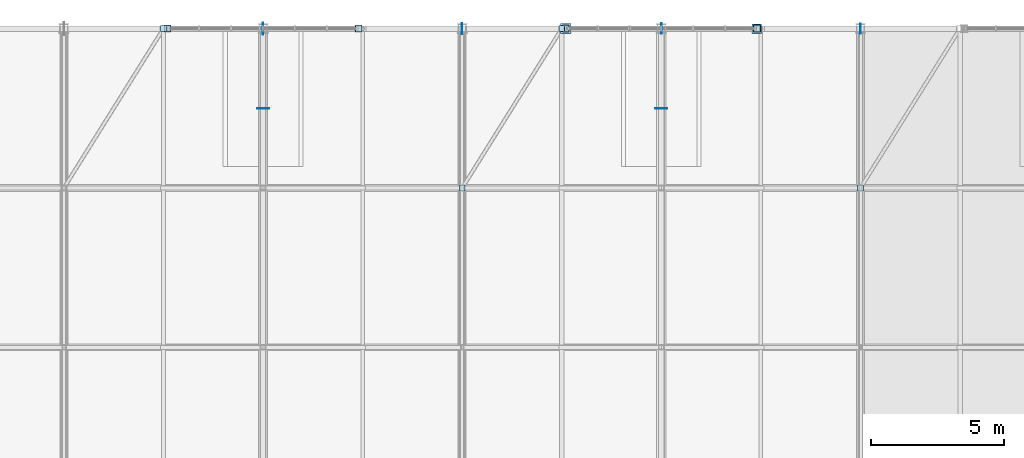
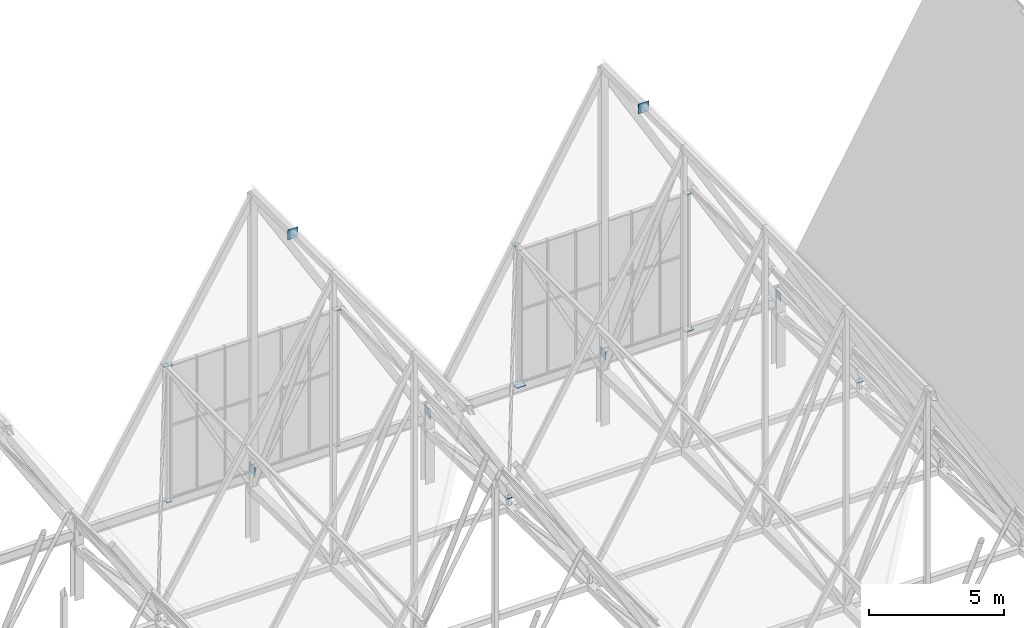
# One storey, part 296 of 324: 18 plates.
"""IFC4 building model written with IfcOpenShell, lengths in metres."""

from ifc_helpers import new_model, si_unit, direction, frame, origin, origin_2d, place, context, subcontext, project, spatial, rectangle, extrude, material, layer, layer_set, type_object, element, save


model = new_model("IFC4")

# Units and contexts
model_context = context("Model", 3, precision=1e-05, world=origin(), true_north=direction((0.0, 1.0)))
body_context = subcontext(model_context, "Body", "Model", "MODEL_VIEW")
ifc_project = project(units=[si_unit("LENGTHUNIT", "METRE"), si_unit("AREAUNIT", "SQUARE_METRE"), si_unit("VOLUMEUNIT", "CUBIC_METRE"), si_unit("PLANEANGLEUNIT", "RADIAN"), si_unit("MASSUNIT", "GRAM", prefix="KILO")], contexts=[model_context])

# Site, building, storey
site_placement = place(None, origin())
site = spatial("IfcSite", under=ifc_project, at=site_placement, CompositionType="ELEMENT")
building_placement = place(site_placement, origin())
building = spatial("IfcBuilding", under=site, at=building_placement, Name="Solvenia Promenade Tram Depot", CompositionType="ELEMENT")
storey_placement = place(building_placement, frame((0.0, 0.0, 4.5)))
storey = spatial("IfcBuildingStorey", under=building, at=storey_placement, Name="L01", CompositionType="ELEMENT", Elevation=4.5)

# Plates
ifc_material = material(Name="Structural steel ASTM A572 Gr. 50", Category="steel")
ifc_layer_1 = layer(ifc_material, 0.013916015625, Name="Structural steel ASTM A572 Gr. 50", Category="steel")
ifc_layer_set_1 = layer_set([ifc_layer_1], Name="Structural steel ASTM A572 Gr. 50")
plate_type_1 = type_object("IfcPlateType", Name="EndCap-CP10", PredefinedType="SHEET", material=ifc_layer_set_1)
plate_1_placement = place(storey_placement, frame((33.89990234375, 126.0, 2.9931640625), z_axis=(0.0, 0.0, 1.0), x_axis=(1.0, 0.0, 0.0)))
element("IfcPlate", 1, at=plate_1_placement, inside=storey, type_object=plate_type_1, Name="Gable Jamb Bottom Cap Plate 009", PredefinedType="SHEET", context=body_context, shape_type="SweptSolid", body=[
    extrude(rectangle(XDim=0.219970703125, YDim=0.219970703125, at=origin_2d()), origin(), (0.0, 0.0, 1.0), 0.013916015625),
])
ifc_layer_2 = layer(ifc_material, 0.012939453125, Name="Structural steel ASTM A572 Gr. 50", Category="steel")
ifc_layer_set_2 = layer_set([ifc_layer_2], Name="Structural steel ASTM A572 Gr. 50")
plate_type_2 = type_object("IfcPlateType", Name="EndCap-CP11", PredefinedType="SHEET", material=ifc_layer_set_2)
plate_2_placement = place(storey_placement, frame((41.10009765625, 126.0, 2.99365234375), z_axis=(0.0, 0.0, 1.0), x_axis=(1.0, 0.0, 0.0)))
element("IfcPlate", 2, at=plate_2_placement, inside=storey, type_object=plate_type_2, Name="Gable Jamb Bottom Cap Plate 010", PredefinedType="SHEET", context=body_context, shape_type="SweptSolid", body=[
    extrude(rectangle(XDim=0.199951171875, YDim=0.199951171875, at=origin_2d()), origin(), (0.0, 0.0, 1.0), 0.012939453125),
])
ifc_layer_3 = layer(ifc_material, 0.02197265625, Name="Structural steel ASTM A572 Gr. 50", Category="steel")
ifc_layer_set_3 = layer_set([ifc_layer_3], Name="Structural steel ASTM A572 Gr. 50")
plate_type_3 = type_object("IfcPlateType", Name="EndCap-CP2", PredefinedType="SHEET", material=ifc_layer_set_3)
plate_3_placement = place(storey_placement, frame((48.89990234375, 126.0, 2.989013671875), z_axis=(0.0, 0.0, 1.0), x_axis=(1.0, 0.0, 0.0)))
element("IfcPlate", 3, at=plate_3_placement, inside=storey, type_object=plate_type_3, Name="Gable Jamb Bottom Cap Plate 013", PredefinedType="SHEET", context=body_context, shape_type="SweptSolid", body=[
    extrude(rectangle(XDim=0.3798828125, YDim=0.3798828125, at=origin_2d()), origin(), (0.0, 0.0, 1.0), 0.02197265625),
])
ifc_layer_4 = layer(ifc_material, 0.02099609375, Name="Structural steel ASTM A572 Gr. 50", Category="steel")
ifc_layer_set_4 = layer_set([ifc_layer_4], Name="Structural steel ASTM A572 Gr. 50")
plate_type_4 = type_object("IfcPlateType", Name="EndCap-CP3", PredefinedType="SHEET", material=ifc_layer_set_4)
plate_4_placement = place(storey_placement, frame((56.10009765625, 126.0, 2.989501953125), z_axis=(0.0, 0.0, 1.0), x_axis=(1.0, 0.0, 0.0)))
element("IfcPlate", 4, at=plate_4_placement, inside=storey, type_object=plate_type_4, Name="Gable Jamb Bottom Cap Plate 014", PredefinedType="SHEET", context=body_context, shape_type="SweptSolid", body=[
    extrude(rectangle(XDim=0.360107421875, YDim=0.360107421875, at=origin_2d()), origin(), (0.0, 0.0, 1.0), 0.02099609375),
])
ifc_layer_5 = layer(ifc_material, 0.02001953125, Name="Structural steel ASTM A572 Gr. 50", Category="steel")
ifc_layer_set_5 = layer_set([ifc_layer_5], Name="Structural steel ASTM A572 Gr. 50")
plate_type_5 = type_object("IfcPlateType", Name="EndCap-CP4", PredefinedType="SHEET", material=ifc_layer_set_5)
for number, where, z_axis, x_axis, name in (
    (5, (33.89990234375, 126.0, 9.141845703125), (0.0, 0.0, 1.0), (1.0, 0.0, 0.0), "Gable Jamb Top Cap Plate 009"),
    (6, (41.10009765625, 126.0, 9.141845703125), (0.0, 0.0, 1.0), (1.0, 0.0, 0.0), "Gable Jamb Top Cap Plate 010"),
    (7, (48.89990234375, 126.0, 9.141845703125), (0.0, 0.0, 1.0), (1.0, 0.0, 0.0), "Gable Jamb Top Cap Plate 013"),
    (8, (56.10009765625, 126.0, 9.141845703125), (0.0, 0.0, 1.0), (1.0, 0.0, 0.0), "Gable Jamb Top Cap Plate 014"),
):
    element("IfcPlate", number, at=place(storey_placement, frame(where, z_axis=z_axis, x_axis=x_axis)), inside=storey, type_object=plate_type_5, Name=name, PredefinedType="SHEET", context=body_context, shape_type="SweptSolid", body=[
        extrude(rectangle(XDim=0.260009765625, YDim=0.260009765625, at=origin_2d()), origin(), (0.0, 0.0, 1.0), 0.01611328125),
    ])
ifc_layer_6 = layer(ifc_material, 0.01904296875, Name="Structural steel ASTM A572 Gr. 50", Category="steel")
ifc_layer_set_6 = layer_set([ifc_layer_6], Name="Structural steel ASTM A572 Gr. 50")
plate_type_6 = type_object("IfcPlateType", Name="EndCap-CP5", PredefinedType="SHEET", material=ifc_layer_set_6)
for number, where, z_axis, x_axis, name in (
    (9, (33.75, 126.0, 9.169189453125), (0.0, 0.0, 1.0), (1.0, 0.0, 0.0), "Roof Brace Node Plate 006B"),
    (10, (45.0, 120.0, 2.91162109375), (0.0, 0.0, 1.0), (1.0, 0.0, 0.0), "Roof Brace Node Plate 008A"),
    (11, (48.75, 126.0, 9.380615234375), (0.0, 0.0, 1.0), (1.0, 0.0, 0.0), "Roof Brace Node Plate 008B"),
    (12, (60.0, 120.0, 2.90673828125), (0.0, 0.0, 1.0), (1.0, 0.0, 0.0), "Roof Brace Node Plate 010A"),
):
    element("IfcPlate", number, at=place(storey_placement, frame(where, z_axis=z_axis, x_axis=x_axis)), inside=storey, type_object=plate_type_6, Name=name, PredefinedType="SHEET", context=body_context, shape_type="SweptSolid", body=[
        extrude(rectangle(XDim=0.219970703125, YDim=0.219970703125, at=origin_2d()), origin(), (0.0, 0.0, 1.0), 0.01904296875),
    ])
ifc_layer_7 = layer(ifc_material, 0.01708984375, Name="Structural steel ASTM A572 Gr. 50", Category="steel")
ifc_layer_set_7 = layer_set([ifc_layer_7], Name="Structural steel ASTM A572 Gr. 50")
plate_type_7 = type_object("IfcPlateType", Name="Gusset-GP10", PredefinedType="USERDEFINED", material=ifc_layer_set_7)
plate_5_placement = place(storey_placement, frame((60.0, 126.0, 2.96484375), z_axis=(0.0, 0.0, 1.0), x_axis=(1.0, 0.0, 0.0)))
element("IfcPlate", 13, at=plate_5_placement, inside=storey, type_object=plate_type_7, Name="Arched Truss Shoe Gusset 9N", ObjectType="GUSSET PLATE", PredefinedType="USERDEFINED", context=body_context, shape_type="SweptSolid", body=[
    extrude(rectangle(XDim=0.01708984375, YDim=0.3701171875, at=origin_2d()), origin(), (0.0, 0.0, 1.0), 0.3701171875),
])
ifc_layer_8 = layer(ifc_material, 0.02392578125, Name="Structural steel ASTM A572 Gr. 50", Category="steel")
ifc_layer_set_8 = layer_set([ifc_layer_8], Name="Structural steel ASTM A572 Gr. 50")
plate_type_8 = type_object("IfcPlateType", Name="Gusset-GP4", PredefinedType="USERDEFINED", material=ifc_layer_set_8)
for number, where, z_axis, x_axis, name in (
    (14, (37.5, 123.0, 15.421875), (0.0, 0.0, 1.0), (1.0, 0.0, 0.0), "Ridge Node Gusset T06-S10"),
    (15, (52.5, 123.0, 15.86279296875), (0.0, 0.0, 1.0), (1.0, 0.0, 0.0), "Ridge Node Gusset T08-S10"),
):
    element("IfcPlate", number, at=place(storey_placement, frame(where, z_axis=z_axis, x_axis=x_axis)), inside=storey, type_object=plate_type_8, Name=name, ObjectType="GUSSET PLATE", PredefinedType="USERDEFINED", context=body_context, shape_type="SweptSolid", body=[
        extrude(rectangle(XDim=0.449951171875, YDim=0.02001953125, at=origin_2d()), origin(), (0.0, 0.0, 1.0), 0.449951171875),
    ])
ifc_layer_9 = layer(ifc_material, 0.02001953125, Name="Structural steel ASTM A572 Gr. 50", Category="steel")
ifc_layer_set_9 = layer_set([ifc_layer_9], Name="Structural steel ASTM A572 Gr. 50")
plate_type_9 = type_object("IfcPlateType", Name="Gusset-GP7", PredefinedType="USERDEFINED", material=ifc_layer_set_9)
plate_6_placement = place(storey_placement, frame((37.5, 126.0, 2.9248046875), z_axis=(0.0, 0.0, 1.0), x_axis=(1.0, 0.0, 0.0)))
element("IfcPlate", 16, at=plate_6_placement, inside=storey, type_object=plate_type_9, Name="Arched Truss Shoe Gusset 6N", ObjectType="GUSSET PLATE", PredefinedType="USERDEFINED", context=body_context, shape_type="SweptSolid", body=[
    extrude(rectangle(XDim=0.02001953125, YDim=0.449951171875, at=origin_2d()), origin(), (0.0, 0.0, 1.0), 0.449951171875),
])
ifc_layer_10 = layer(ifc_material, 0.01904296875, Name="Structural steel ASTM A572 Gr. 50", Category="steel")
ifc_layer_set_10 = layer_set([ifc_layer_10], Name="Structural steel ASTM A572 Gr. 50")
plate_type_10 = type_object("IfcPlateType", Name="Gusset-GP8", PredefinedType="USERDEFINED", material=ifc_layer_set_10)
plate_7_placement = place(storey_placement, frame((45.0, 126.0, 2.93994140625), z_axis=(0.0, 0.0, 1.0), x_axis=(1.0, 0.0, 0.0)))
element("IfcPlate", 17, at=plate_7_placement, inside=storey, type_object=plate_type_10, Name="Arched Truss Shoe Gusset 7N", ObjectType="GUSSET PLATE", PredefinedType="USERDEFINED", context=body_context, shape_type="SweptSolid", body=[
    extrude(rectangle(XDim=0.01904296875, YDim=0.419921875, at=origin_2d()), origin(), (0.0, 0.0, 1.0), 0.419921875),
])
ifc_layer_11 = layer(ifc_material, 0.01806640625, Name="Structural steel ASTM A572 Gr. 50", Category="steel")
ifc_layer_set_11 = layer_set([ifc_layer_11], Name="Structural steel ASTM A572 Gr. 50")
plate_type_11 = type_object("IfcPlateType", Name="Gusset-GP9", PredefinedType="USERDEFINED", material=ifc_layer_set_11)
plate_8_placement = place(storey_placement, frame((52.5, 126.0, 2.949951171875), z_axis=(0.0, 0.0, 1.0), x_axis=(1.0, 0.0, 0.0)))
element("IfcPlate", 18, at=plate_8_placement, inside=storey, type_object=plate_type_11, Name="Arched Truss Shoe Gusset 8N", ObjectType="GUSSET PLATE", PredefinedType="USERDEFINED", context=body_context, shape_type="SweptSolid", body=[
    extrude(rectangle(XDim=0.01806640625, YDim=0.39990234375, at=origin_2d()), origin(), (0.0, 0.0, 1.0), 0.39990234375),
])

save(model, "model.ifc")
